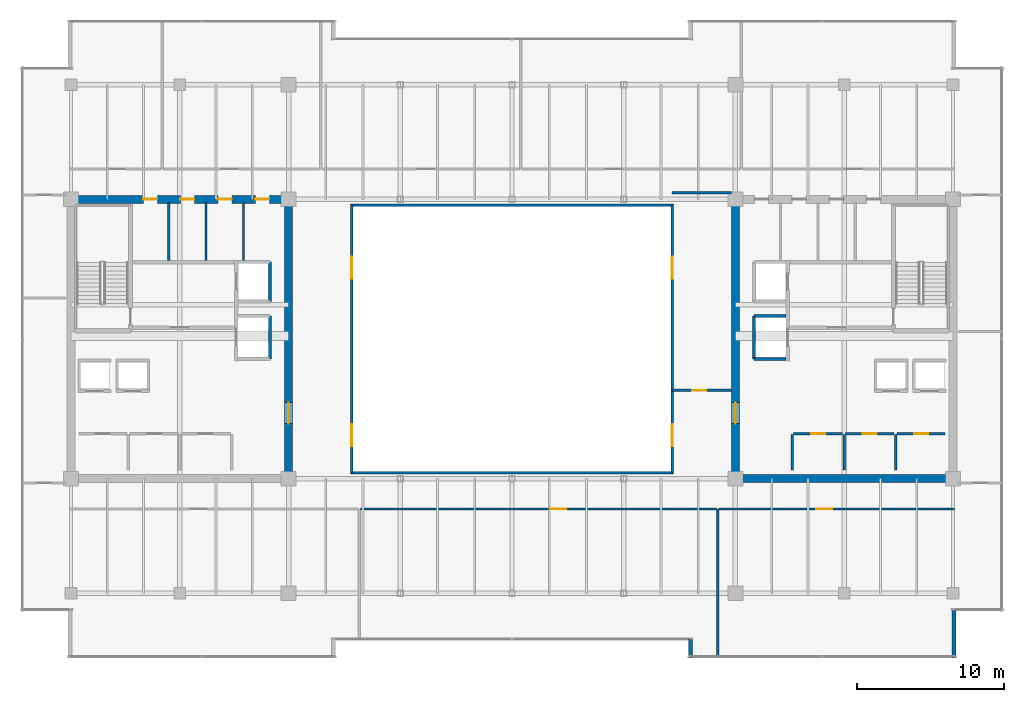
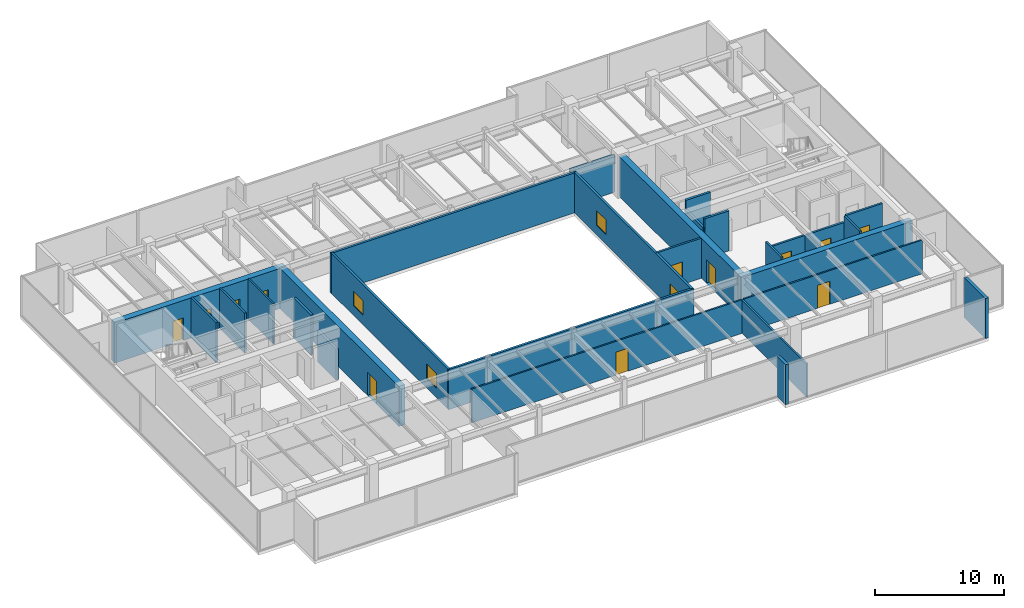
# One storey, part 29 of 33: 29 walls, 12 doors, 4 windows, 16 openings.
"""IFC4 building model written with IfcOpenShell, lengths in metres."""

from ifc_helpers import new_model, si_unit, direction, frame, frame_2d, origin, place, context, subcontext, project, spatial, rectangle, extrude, source, transform, mapped, material, layer, layer_set, type_object, type_shapes, element, fill, save


model = new_model("IFC4")

# Units and contexts
model_context = context("Model", 3, precision=1e-05, world=origin(), true_north=direction((0.0, 1.0)))
body_context = subcontext(model_context, "Body", "Model", "MODEL_VIEW")
ifc_project = project(units=[si_unit("LENGTHUNIT", "METRE"), si_unit("AREAUNIT", "SQUARE_METRE"), si_unit("VOLUMEUNIT", "CUBIC_METRE"), si_unit("PLANEANGLEUNIT", "RADIAN"), si_unit("MASSUNIT", "GRAM", prefix="KILO")], contexts=[model_context])

# Site, building, storey
site_placement = place(None, origin())
site = spatial("IfcSite", under=ifc_project, at=site_placement, CompositionType="ELEMENT")
building_placement = place(site_placement, origin())
building = spatial("IfcBuilding", under=site, at=building_placement, Name="Haelvirn Gate Laboratories", CompositionType="ELEMENT")
storey_placement = place(building_placement, frame((0.0, 0.0, 275.199951171875)))
storey = spatial("IfcBuildingStorey", under=building, at=storey_placement, Name="L66", CompositionType="ELEMENT", Elevation=275.199951171875)

# Walls
ifc_material_1 = material(Name="Thermally-broken bronze aluminium rainscreen & mineral wool", Category="aluminium")
ifc_layer_1 = layer(ifc_material_1, 0.280029296875, Name="EW-TERR-280")
ifc_layer_set_1 = layer_set([ifc_layer_1], Name="Thermally-broken bronze aluminium rainscreen & mineral wool")
wall_type_1 = type_object("IfcWallType", Name="EW-TERR-280", PredefinedType="STANDARD", material=ifc_layer_set_1)
wall_1_placement = place(storey_placement, frame((49.5400390625, 3.89306640625, 0.0), z_axis=(0.0, 0.0, 1.0), x_axis=(0.0, -1.0, 0.0)))
element("IfcWall", 1, at=wall_1_placement, inside=storey, type_object=wall_type_1, Name="L66 Atrium Recess Bronze Return Wall 03", PredefinedType="STANDARD", context=body_context, shape_type="SweptSolid", body=[
    extrude(rectangle(XDim=1.29296875, YDim=0.280029296875, at=frame_2d((0.646484375, 0.0))), origin(), (0.0, 0.0, 1.0), 3.800048828125),
])
wall_2_placement = place(storey_placement, frame((67.4599609375, 2.60009765625, 0.0), z_axis=(0.0, 0.0, 1.0), x_axis=(0.0, 1.0, 0.0)))
element("IfcWall", 2, at=wall_2_placement, inside=storey, type_object=wall_type_1, Name="L66 Atrium Recess Bronze Return Wall 05", PredefinedType="STANDARD", context=body_context, shape_type="SweptSolid", body=[
    extrude(rectangle(XDim=3.287841796875, YDim=0.280029296875, at=frame_2d((1.64404296875, 0.0))), origin(), (0.0, 0.0, 1.0), 3.800048828125),
])
ifc_material_2 = material(Name="Double-layer acoustic gypsum laboratory partition", Category="gypsum")
ifc_layer_2 = layer(ifc_material_2, 0.159912109375, Name="IW-ACOUST-160")
ifc_layer_set_2 = layer_set([ifc_layer_2], Name="Double-layer acoustic gypsum laboratory partition")
wall_type_2 = type_object("IfcWallType", Name="IW-ACOUST-160", PredefinedType="PARTITIONING", material=ifc_layer_set_2)
wall_3_placement = place(storey_placement, frame((51.39990234375, 2.7099609375, 0.0), z_axis=(0.0, 0.0, 1.0), x_axis=(0.0, 1.0, 0.0)))
element("IfcWall", 3, at=wall_3_placement, inside=storey, type_object=wall_type_2, Name="L66 Interior Wall IW-L66-SDIV-02", PredefinedType="PARTITIONING", context=body_context, shape_type="SweptSolid", body=[
    extrude(rectangle(XDim=10.030029296875, YDim=0.159912109375, at=frame_2d((5.01513671875, 0.0))), origin(), (0.0, 0.0, 1.0), 3.135009765625),
])
ifc_material_3 = material(Name="Fire-rated acoustic gypsum board partition", Category="gypsum")
ifc_layer_3 = layer(ifc_material_3, 0.175048828125, Name="IW-ACOUST-180")
ifc_layer_set_3 = layer_set([ifc_layer_3], Name="Fire-rated acoustic gypsum board partition")
wall_type_3 = type_object("IfcWallType", Name="IW-ACOUST-180", PredefinedType="PARTITIONING", material=ifc_layer_set_3)
wall_4_placement = place(storey_placement, frame((48.300048828125, 34.260009765625, 0.0), z_axis=(0.0, 0.0, 1.0), x_axis=(1.0, 0.0, 0.0)))
element("IfcWall", 4, at=wall_4_placement, inside=storey, type_object=wall_type_3, Name="L66 Interior Wall IW-L66-EPOD-N", PredefinedType="PARTITIONING", context=body_context, shape_type="SweptSolid", body=[
    extrude(rectangle(XDim=4.02490234375, YDim=0.175048828125, at=frame_2d((2.012451171875, 0.0))), origin(), (0.0, 0.0, 1.0), 3.53515625),
])

# Wall, opening, door
wall_5_placement = place(storey_placement, frame((48.300048828125, 20.800048828125, 0.0), z_axis=(0.0, 0.0, 1.0), x_axis=(1.0, 0.0, 0.0)))
wall_5 = element("IfcWall", 5, at=wall_5_placement, inside=storey, type_object=wall_type_3, Name="L66 Interior Wall IW-L66-EPOD-S", PredefinedType="PARTITIONING", context=body_context, shape_type="SweptSolid", body=[
    extrude(rectangle(XDim=4.02490234375, YDim=0.175048828125, at=frame_2d((2.012451171875, 0.0))), origin(), (0.0, 0.0, 1.0), 3.800048828125),
])
opening_1_placement = place(wall_5_placement, frame((1.35009765625, 0.0, 0.0)))
opening_1 = element("IfcOpeningElement", 6, at=opening_1_placement, cuts=wall_5, Name="Opening FD4", PredefinedType="OPENING", context=body_context, shape_type="SweptSolid", body=[
    extrude(rectangle(XDim=0.949951171875, YDim=2.14990234375, at=frame_2d((0.47509765625, 1.074951171875))), frame((0.0, 0.09765625, 0.0), z_axis=(0.0, -1.0, 0.0), x_axis=(1.0, 0.0, 0.0)), (0.0, 0.0, 1.0), 0.195068359375),
])
ifc_material_4 = material(Name="Fire-rated steel SM355 core service door", Category="steel")
door_type_1 = type_object("IfcDoorType", Name="DR-FD-950", OperationType="NOTDEFINED", PredefinedType="DOOR", material=ifc_material_4)
shared_shape_1 = source(origin(), body_context, "Body", "SweptSolid", [
    extrude(rectangle(XDim=0.949951171875, YDim=2.14990234375, at=frame_2d((0.47509765625, 1.074951171875))), frame((0.0, 0.02490234375, 0.0), z_axis=(0.0, -1.0, 0.0), x_axis=(1.0, 0.0, 0.0)), (0.0, 0.0, 1.0), 0.050048828125),
])
type_shapes(door_type_1, [shared_shape_1])
door_1_placement = place(opening_1_placement, origin())
door_1 = element("IfcDoor", 7, at=door_1_placement, inside=storey, type_object=door_type_1, Name="L66 High-Zone Collaboration Suite Door", OperationType="SINGLE_SWING_LEFT", OverallHeight=2.14990234375, OverallWidth=0.949951171875, PredefinedType="DOOR", context=body_context, shape_type="MappedRepresentation", body=[
    mapped(shared_shape_1, transform((0.0, 0.0, 0.0), scale=1.0)),
])
fill(opening_1, door_1)

# Wall, openings, windows
ifc_material_5 = material(Name="Tempered fire-rated borosilicate glass & anodised aluminium", Category="aluminium")
ifc_layer_4 = layer(ifc_material_5, 0.195068359375, Name="IW-GLAZ-200")
ifc_layer_set_4 = layer_set([ifc_layer_4], Name="Tempered fire-rated borosilicate glass & anodised aluminium")
wall_type_4 = type_object("IfcWallType", Name="IW-GLAZ-200", PredefinedType="SOLIDWALL", material=ifc_layer_set_4)
wall_6_placement = place(storey_placement, frame((26.5, 15.199951171875, 0.0), z_axis=(0.0, 0.0, 1.0), x_axis=(0.0, 1.0, 0.0)))
wall_6 = element("IfcWall", 8, at=wall_6_placement, inside=storey, type_object=wall_type_4, Name="L66 Interior Wall IW-L66-ATRIUM-W", PredefinedType="SOLIDWALL", context=body_context, shape_type="SweptSolid", body=[
    extrude(rectangle(XDim=18.199951171875, YDim=0.195068359375, at=frame_2d((9.10009765625, 0.0))), origin(), (0.0, 0.0, 1.0), 3.800048828125),
])
opening_2_placement = place(wall_6_placement, frame((1.800048828125, 0.0, 0.89990234375)))
opening_2 = element("IfcOpeningElement", 9, at=opening_2_placement, cuts=wall_6, Name="Opening W5", PredefinedType="OPENING", context=body_context, shape_type="SweptSolid", body=[
    extrude(rectangle(XDim=1.5, YDim=1.39990234375, at=frame_2d((0.75, 0.699951171875))), frame((0.0, 0.107421875, 0.0), z_axis=(0.0, -1.0, 0.0), x_axis=(1.0, 0.0, 0.0)), (0.0, 0.0, 1.0), 0.215087890625),
])
opening_3_placement = place(wall_6_placement, frame((13.199951171875, 0.0, 0.89990234375)))
opening_3 = element("IfcOpeningElement", 10, at=opening_3_placement, cuts=wall_6, Name="Opening W5", PredefinedType="OPENING", context=body_context, shape_type="SweptSolid", body=[
    extrude(rectangle(XDim=1.5, YDim=1.39990234375, at=frame_2d((0.75, 0.699951171875))), frame((0.0, 0.107421875, 0.0), z_axis=(0.0, -1.0, 0.0), x_axis=(1.0, 0.0, 0.0)), (0.0, 0.0, 1.0), 0.215087890625),
])
ifc_material_6 = material(Name="Fire-rated EI 120 borosilicate atrium vision glazing", Category="glass")
window_type = type_object("IfcWindowType", Name="WN-ATR-1500", PartitioningType="SINGLE_PANEL", PredefinedType="WINDOW", material=ifc_material_6)
shared_shape_2 = source(origin(), body_context, "Body", "SweptSolid", [
    extrude(rectangle(XDim=1.5, YDim=1.39990234375, at=frame_2d((0.75, 0.699951171875))), frame((0.0, 0.030029296875, 0.0), z_axis=(0.0, -1.0, 0.0), x_axis=(1.0, 0.0, 0.0)), (0.0, 0.0, 1.0), 0.06005859375),
])
type_shapes(window_type, [shared_shape_2])
window_1_placement = place(opening_2_placement, origin())
window_1 = element("IfcWindow", 11, at=window_1_placement, inside=storey, type_object=window_type, Name="L66 Atrium Observation Window 1", OverallHeight=1.39990234375, OverallWidth=1.5, PartitioningType="SINGLE_PANEL", PredefinedType="WINDOW", context=body_context, shape_type="MappedRepresentation", body=[
    mapped(shared_shape_2, transform((0.0, 0.0, 0.0), scale=1.0)),
])
fill(opening_2, window_1)
window_2_placement = place(opening_3_placement, origin())
window_2 = element("IfcWindow", 12, at=window_2_placement, inside=storey, type_object=window_type, Name="L66 Atrium Observation Window 2", OverallHeight=1.39990234375, OverallWidth=1.5, PartitioningType="SINGLE_PANEL", PredefinedType="WINDOW", context=body_context, shape_type="MappedRepresentation", body=[
    mapped(shared_shape_2, transform((0.0, 0.0, 0.0), scale=1.0)),
])
fill(opening_3, window_2)

wall_7_placement = place(storey_placement, frame((48.300048828125, 15.199951171875, 0.0), z_axis=(0.0, 0.0, 1.0), x_axis=(0.0, 1.0, 0.0)))
wall_7 = element("IfcWall", 13, at=wall_7_placement, inside=storey, type_object=wall_type_4, Name="L66 Interior Wall IW-L66-ATRIUM-E", PredefinedType="SOLIDWALL", context=body_context, shape_type="SweptSolid", body=[
    extrude(rectangle(XDim=18.199951171875, YDim=0.195068359375, at=frame_2d((9.10009765625, 0.0))), origin(), (0.0, 0.0, 1.0), 3.800048828125),
])
opening_4_placement = place(wall_7_placement, frame((1.800048828125, 0.0, 0.89990234375)))
opening_4 = element("IfcOpeningElement", 14, at=opening_4_placement, cuts=wall_7, Name="Opening W5", PredefinedType="OPENING", context=body_context, shape_type="SweptSolid", body=[
    extrude(rectangle(XDim=1.5, YDim=1.39990234375, at=frame_2d((0.75, 0.699951171875))), frame((0.0, 0.107421875, 0.0), z_axis=(0.0, -1.0, 0.0), x_axis=(1.0, 0.0, 0.0)), (0.0, 0.0, 1.0), 0.215087890625),
])
opening_5_placement = place(wall_7_placement, frame((13.199951171875, 0.0, 0.89990234375)))
opening_5 = element("IfcOpeningElement", 15, at=opening_5_placement, cuts=wall_7, Name="Opening W5", PredefinedType="OPENING", context=body_context, shape_type="SweptSolid", body=[
    extrude(rectangle(XDim=1.5, YDim=1.39990234375, at=frame_2d((0.75, 0.699951171875))), frame((0.0, 0.107421875, 0.0), z_axis=(0.0, -1.0, 0.0), x_axis=(1.0, 0.0, 0.0)), (0.0, 0.0, 1.0), 0.215087890625),
])
window_3_placement = place(opening_4_placement, origin())
window_3 = element("IfcWindow", 16, at=window_3_placement, inside=storey, type_object=window_type, Name="L66 Atrium Observation Window 1", OverallHeight=1.39990234375, OverallWidth=1.5, PartitioningType="SINGLE_PANEL", PredefinedType="WINDOW", context=body_context, shape_type="MappedRepresentation", body=[
    mapped(shared_shape_2, transform((0.0, 0.0, 0.0), scale=1.0)),
])
fill(opening_4, window_3)
window_4_placement = place(opening_5_placement, origin())
window_4 = element("IfcWindow", 17, at=window_4_placement, inside=storey, type_object=window_type, Name="L66 Atrium Observation Window 2", OverallHeight=1.39990234375, OverallWidth=1.5, PartitioningType="SINGLE_PANEL", PredefinedType="WINDOW", context=body_context, shape_type="MappedRepresentation", body=[
    mapped(shared_shape_2, transform((0.0, 0.0, 0.0), scale=1.0)),
])
fill(opening_5, window_4)

# Walls
for number, where, z_axis, x_axis, name in (
    (18, (26.39990234375, 15.199951171875, 0.0), (0.0, 0.0, 1.0), (1.0, 0.0, 0.0), "L66 Interior Wall IW-L66-ATRIUM-S"),
    (19, (26.39990234375, 33.39990234375, 0.0), (0.0, 0.0, 1.0), (1.0, 0.0, 0.0), "L66 Interior Wall IW-L66-ATRIUM-N"),
):
    element("IfcWall", number, at=place(storey_placement, frame(where, z_axis=z_axis, x_axis=x_axis)), inside=storey, type_object=wall_type_4, Name=name, PredefinedType="SOLIDWALL", context=body_context, shape_type="SweptSolid", body=[
        extrude(rectangle(XDim=22.0, YDim=0.195068359375, at=frame_2d((11.0, 0.0))), origin(), (0.0, 0.0, 1.0), 3.800048828125),
    ])

# Wall, opening, door
ifc_material_7 = material(Name="Acoustic mineral-wool gypsum board partition", Category="gypsum")
ifc_layer_5 = layer(ifc_material_7, 0.139892578125, Name="IW-PART-140")
ifc_layer_set_5 = layer_set([ifc_layer_5], Name="Acoustic mineral-wool gypsum board partition")
wall_type_5 = type_object("IfcWallType", Name="IW-PART-140", PredefinedType="PARTITIONING", material=ifc_layer_set_5)
wall_8_placement = place(storey_placement, frame((27.080078125, 12.739990234375, 0.0), z_axis=(0.0, 0.0, 1.0), x_axis=(1.0, 0.0, 0.0)))
wall_8 = element("IfcWall", 20, at=wall_8_placement, inside=storey, type_object=wall_type_5, Name="L66 Interior Wall IW-L66-SCORR-02", PredefinedType="PARTITIONING", context=body_context, shape_type="SweptSolid", body=[
    extrude(rectangle(XDim=24.239990234375, YDim=0.139892578125, at=frame_2d((12.1201171875, 0.0))), origin(), (0.0, 0.0, 1.0), 3.197021484375),
])
opening_6_placement = place(wall_8_placement, frame((12.91650390625, 0.0, 0.0)))
opening_6 = element("IfcOpeningElement", 21, at=opening_6_placement, cuts=wall_8, Name="Opening D1", PredefinedType="OPENING", context=body_context, shape_type="SweptSolid", body=[
    extrude(rectangle(XDim=1.10009765625, YDim=2.179931640625, at=frame_2d((0.550048828125, 1.08984375))), frame((0.0, 0.080078125, 0.0), z_axis=(0.0, -1.0, 0.0), x_axis=(1.0, 0.0, 0.0)), (0.0, 0.0, 1.0), 0.159912109375),
])
ifc_material_8 = material(Name="Vision-panel acoustic solid-core timber lab door", Category="wood")
door_type_2 = type_object("IfcDoorType", Name="DR-LAB-1100", OperationType="NOTDEFINED", PredefinedType="DOOR", material=ifc_material_8)
shared_shape_3 = source(origin(), body_context, "Body", "SweptSolid", [
    extrude(rectangle(XDim=1.10009765625, YDim=2.179931640625, at=frame_2d((0.550048828125, 1.08984375))), frame((0.0, 0.02490234375, 0.0), z_axis=(0.0, -1.0, 0.0), x_axis=(1.0, 0.0, 0.0)), (0.0, 0.0, 1.0), 0.050048828125),
])
type_shapes(door_type_2, [shared_shape_3])
door_2_placement = place(opening_6_placement, origin())
door_2 = element("IfcDoor", 22, at=door_2_placement, inside=storey, type_object=door_type_2, Name="L66 Computational Write-Up Office Door S2", OperationType="SINGLE_SWING_RIGHT", OverallHeight=2.179931640625, OverallWidth=1.10009765625, PredefinedType="DOOR", context=body_context, shape_type="MappedRepresentation", body=[
    mapped(shared_shape_3, transform((0.0, 0.0, 0.0), scale=1.0)),
])
fill(opening_6, door_2)

wall_9_placement = place(storey_placement, frame((51.47998046875, 12.739990234375, 0.0), z_axis=(0.0, 0.0, 1.0), x_axis=(1.0, 0.0, 0.0)))
wall_9 = element("IfcWall", 23, at=wall_9_placement, inside=storey, type_object=wall_type_5, Name="L66 Interior Wall IW-L66-SCORR-03", PredefinedType="PARTITIONING", context=body_context, shape_type="SweptSolid", body=[
    extrude(rectangle(XDim=16.010009765625, YDim=0.139892578125, at=frame_2d((8.0048828125, 0.0))), origin(), (0.0, 0.0, 1.0), 3.197021484375),
])
opening_7_placement = place(wall_9_placement, frame((6.602294921875, 0.0, 0.0)))
opening_7 = element("IfcOpeningElement", 24, at=opening_7_placement, cuts=wall_9, Name="Opening D1", PredefinedType="OPENING", context=body_context, shape_type="SweptSolid", body=[
    extrude(rectangle(XDim=1.10009765625, YDim=2.179931640625, at=frame_2d((0.550048828125, 1.08984375))), frame((0.0, 0.080078125, 0.0), z_axis=(0.0, -1.0, 0.0), x_axis=(1.0, 0.0, 0.0)), (0.0, 0.0, 1.0), 0.159912109375),
])
door_3_placement = place(opening_7_placement, origin())
door_3 = element("IfcDoor", 25, at=door_3_placement, inside=storey, type_object=door_type_2, Name="L66 Bioinformatics Dry-Lab Workspace Door S3", OperationType="SINGLE_SWING_LEFT", OverallHeight=2.179931640625, OverallWidth=1.10009765625, PredefinedType="DOOR", context=body_context, shape_type="MappedRepresentation", body=[
    mapped(shared_shape_3, transform((0.0, 0.0, 0.0), scale=1.0)),
])
fill(opening_7, door_3)

# Walls
ifc_material_9 = material(Name="Cement-board restroom plumbing chase wall", Category="gypsum")
ifc_layer_6 = layer(ifc_material_9, 0.155029296875, Name="IW-PLUMB-160")
ifc_layer_set_6 = layer_set([ifc_layer_6], Name="Cement-board restroom plumbing chase wall")
wall_type_6 = type_object("IfcWallType", Name="IW-PLUMB-160", PredefinedType="PLUMBINGWALL", material=ifc_layer_set_6)
for number, where, z_axis, x_axis, name in (
    (26, (14.0400390625, 29.64990234375, 0.0), (0.0, 0.0, 1.0), (0.0, 1.0, 0.0), "L66 Interior Wall IW-L66-W-CDIV-1"),
    (27, (16.590087890625, 29.64990234375, 0.0), (0.0, 0.0, 1.0), (0.0, 1.0, 0.0), "L66 Interior Wall IW-L66-W-CDIV-2"),
    (28, (19.139892578125, 29.64990234375, 0.0), (0.0, 0.0, 1.0), (0.0, 1.0, 0.0), "L66 Interior Wall IW-L66-W-CDIV-3"),
):
    element("IfcWall", number, at=place(storey_placement, frame(where, z_axis=z_axis, x_axis=x_axis)), inside=storey, type_object=wall_type_6, Name=name, PredefinedType="PLUMBINGWALL", context=body_context, shape_type="SweptSolid", body=[
        extrude(rectangle(XDim=3.93017578125, YDim=0.155029296875, at=frame_2d((1.965087890625, 0.0))), origin(), (0.0, 0.0, 1.0), 3.800048828125),
    ])

# Wall, opening, door
ifc_material_10 = material(Name="Concrete C40/50", Category="concrete")
ifc_layer_7 = layer(ifc_material_10, 0.179931640625, Name="IW-SHAFT-180")
ifc_layer_set_7 = layer_set([ifc_layer_7], Name="Concrete C40/50")
wall_type_7 = type_object("IfcWallType", Name="IW-SHAFT-180", PredefinedType="SOLIDWALL", material=ifc_layer_set_7)
wall_10_placement = place(storey_placement, frame((63.60009765625, 17.85009765625, 0.0), z_axis=(0.0, 0.0, 1.0), x_axis=(1.0, 0.0, 0.0)))
wall_10 = element("IfcWall", 29, at=wall_10_placement, inside=storey, type_object=wall_type_7, Name="L66 Interior Wall IW-L66-E-FREED-HN-1", PredefinedType="SOLIDWALL", context=body_context, shape_type="SweptSolid", body=[
    extrude(rectangle(XDim=3.25, YDim=0.179931640625, at=frame_2d((1.625, 0.0))), origin(), (0.0, 0.0, 1.0), 3.800048828125),
])
opening_8_placement = place(wall_10_placement, frame((1.14990234375, 0.0, 0.0)))
opening_8 = element("IfcOpeningElement", 30, at=opening_8_placement, cuts=wall_10, Name="Opening FD4", PredefinedType="OPENING", context=body_context, shape_type="SweptSolid", body=[
    extrude(rectangle(XDim=0.949951171875, YDim=2.14990234375, at=frame_2d((0.47509765625, 1.074951171875))), frame((0.0, 0.10009765625, 0.0), z_axis=(0.0, -1.0, 0.0), x_axis=(1.0, 0.0, 0.0)), (0.0, 0.0, 1.0), 0.199951171875),
])
door_4_placement = place(opening_8_placement, origin())
door_4 = element("IfcDoor", 31, at=door_4_placement, inside=storey, type_object=door_type_1, Name="L66 Autoclave Bio-Prep Room Door", OperationType="SINGLE_SWING_LEFT", OverallHeight=2.14990234375, OverallWidth=0.949951171875, PredefinedType="DOOR", context=body_context, shape_type="MappedRepresentation", body=[
    mapped(shared_shape_1, transform((0.0, 0.0, 0.0), scale=1.0)),
])
fill(opening_8, door_4)

# Wall
wall_11_placement = place(storey_placement, frame((63.510009765625, 15.39990234375, 0.0), z_axis=(0.0, 0.0, 1.0), x_axis=(0.0, 1.0, 0.0)))
element("IfcWall", 32, at=wall_11_placement, inside=storey, type_object=wall_type_7, Name="L66 Interior Wall IW-L66-E-FREED-HE-1", PredefinedType="SOLIDWALL", context=body_context, shape_type="SweptSolid", body=[
    extrude(rectangle(XDim=2.400146484375, YDim=0.179931640625, at=frame_2d((1.2001953125, 0.0))), origin(), (0.0, 0.0, 1.0), 3.800048828125),
])

# Wall, opening, door
wall_12_placement = place(storey_placement, frame((60.10009765625, 17.85009765625, 0.0), z_axis=(0.0, 0.0, 1.0), x_axis=(1.0, 0.0, 0.0)))
wall_12 = element("IfcWall", 33, at=wall_12_placement, inside=storey, type_object=wall_type_7, Name="L66 Interior Wall IW-L66-E-FREED-HN-2", PredefinedType="SOLIDWALL", context=body_context, shape_type="SweptSolid", body=[
    extrude(rectangle(XDim=3.2998046875, YDim=0.179931640625, at=frame_2d((1.64990234375, 0.0))), origin(), (0.0, 0.0, 1.0), 3.197021484375),
])
opening_9_placement = place(wall_12_placement, frame((1.175048828125, 0.0, 0.0)))
opening_9 = element("IfcOpeningElement", 34, at=opening_9_placement, cuts=wall_12, Name="Opening FD4", PredefinedType="OPENING", context=body_context, shape_type="SweptSolid", body=[
    extrude(rectangle(XDim=0.949951171875, YDim=2.14990234375, at=frame_2d((0.47509765625, 1.074951171875))), frame((0.0, 0.10009765625, 0.0), z_axis=(0.0, -1.0, 0.0), x_axis=(1.0, 0.0, 0.0)), (0.0, 0.0, 1.0), 0.199951171875),
])
door_5_placement = place(opening_9_placement, origin())
door_5 = element("IfcDoor", 35, at=door_5_placement, inside=storey, type_object=door_type_1, Name="L66 Telemetry Analytics Room Door", OperationType="SINGLE_SWING_RIGHT", OverallHeight=2.14990234375, OverallWidth=0.949951171875, PredefinedType="DOOR", context=body_context, shape_type="MappedRepresentation", body=[
    mapped(shared_shape_1, transform((0.0, 0.0, 0.0), scale=1.0)),
])
fill(opening_9, door_5)

# Wall
wall_13_placement = place(storey_placement, frame((60.010009765625, 15.39990234375, 0.0), z_axis=(0.0, 0.0, 1.0), x_axis=(0.0, 1.0, 0.0)))
element("IfcWall", 36, at=wall_13_placement, inside=storey, type_object=wall_type_7, Name="L66 Interior Wall IW-L66-E-FREED-HE-2", PredefinedType="SOLIDWALL", context=body_context, shape_type="SweptSolid", body=[
    extrude(rectangle(XDim=2.400146484375, YDim=0.179931640625, at=frame_2d((1.2001953125, 0.0))), origin(), (0.0, 0.0, 1.0), 3.197021484375),
])

# Wall, opening, door
wall_14_placement = place(storey_placement, frame((56.550048828125, 17.85009765625, 0.0), z_axis=(0.0, 0.0, 1.0), x_axis=(1.0, 0.0, 0.0)))
wall_14 = element("IfcWall", 37, at=wall_14_placement, inside=storey, type_object=wall_type_7, Name="L66 Interior Wall IW-L66-E-FREED-HN-3", PredefinedType="SOLIDWALL", context=body_context, shape_type="SweptSolid", body=[
    extrude(rectangle(XDim=3.349853515625, YDim=0.179931640625, at=frame_2d((1.6748046875, 0.0))), origin(), (0.0, 0.0, 1.0), 3.197021484375),
])
opening_10_placement = place(wall_14_placement, frame((1.199951171875, 0.0, 0.0)))
opening_10 = element("IfcOpeningElement", 38, at=opening_10_placement, cuts=wall_14, Name="Opening FD4", PredefinedType="OPENING", context=body_context, shape_type="SweptSolid", body=[
    extrude(rectangle(XDim=0.949951171875, YDim=2.14990234375, at=frame_2d((0.47509765625, 1.074951171875))), frame((0.0, 0.10009765625, 0.0), z_axis=(0.0, -1.0, 0.0), x_axis=(1.0, 0.0, 0.0)), (0.0, 0.0, 1.0), 0.199951171875),
])
door_6_placement = place(opening_10_placement, origin())
door_6 = element("IfcDoor", 39, at=door_6_placement, inside=storey, type_object=door_type_1, Name="L66 Calibration Metrology Room Door", OperationType="SINGLE_SWING_LEFT", OverallHeight=2.14990234375, OverallWidth=0.949951171875, PredefinedType="DOOR", context=body_context, shape_type="MappedRepresentation", body=[
    mapped(shared_shape_1, transform((0.0, 0.0, 0.0), scale=1.0)),
])
fill(opening_10, door_6)

# Walls
wall_15_placement = place(storey_placement, frame((56.4599609375, 15.39990234375, 0.0), z_axis=(0.0, 0.0, 1.0), x_axis=(0.0, 1.0, 0.0)))
element("IfcWall", 40, at=wall_15_placement, inside=storey, type_object=wall_type_7, Name="L66 Interior Wall IW-L66-E-FREED-HE-3", PredefinedType="SOLIDWALL", context=body_context, shape_type="SweptSolid", body=[
    extrude(rectangle(XDim=2.400146484375, YDim=0.179931640625, at=frame_2d((1.2001953125, 0.0))), origin(), (0.0, 0.0, 1.0), 3.800048828125),
])
ifc_layer_8 = layer(ifc_material_10, 0.199951171875, Name="IW-SHAFT-200")
ifc_layer_set_8 = layer_set([ifc_layer_8], Name="Concrete C40/50")
wall_type_8 = type_object("IfcWallType", Name="IW-SHAFT-200", PredefinedType="SOLIDWALL", material=ifc_layer_set_8)
wall_16_placement = place(storey_placement, frame((20.949951171875, 26.85009765625, 0.0), z_axis=(0.0, 0.0, 1.0), x_axis=(0.0, 1.0, 0.0)))
element("IfcWall", 41, at=wall_16_placement, inside=storey, type_object=wall_type_8, Name="L66 Interior Wall IW-L66-FL1-BK", PredefinedType="SOLIDWALL", context=body_context, shape_type="SweptSolid", body=[
    extrude(rectangle(XDim=2.699951171875, YDim=0.199951171875, at=frame_2d((1.35009765625, 0.0))), origin(), (0.0, 0.0, 1.0), 3.800048828125),
])
for number, where, z_axis, x_axis, name in (
    (42, (20.949951171875, 22.949951171875, 0.0), (0.0, 0.0, 1.0), (0.0, 1.0, 0.0), "L66 Interior Wall IW-L66-SL1-BK"),
    (43, (53.85009765625, 22.949951171875, 0.0), (0.0, 0.0, 1.0), (0.0, 1.0, 0.0), "L66 Interior Wall IW-L66-SL2-BK"),
):
    element("IfcWall", number, at=place(storey_placement, frame(where, z_axis=z_axis, x_axis=x_axis)), inside=storey, type_object=wall_type_8, Name=name, PredefinedType="SOLIDWALL", context=body_context, shape_type="SweptSolid", body=[
        extrude(rectangle(XDim=2.900146484375, YDim=0.199951171875, at=frame_2d((1.4501953125, 0.0))), origin(), (0.0, 0.0, 1.0), 2.93505859375),
    ])
for number, where, z_axis, x_axis, name in (
    (44, (53.85009765625, 25.85009765625, 0.0), (0.0, 0.0, 1.0), (1.0, 0.0, 0.0), "L66 Interior Wall IW-L66-SL2-N"),
    (45, (53.85009765625, 22.949951171875, 0.0), (0.0, 0.0, 1.0), (1.0, 0.0, 0.0), "L66 Interior Wall IW-L66-SL2-S"),
):
    element("IfcWall", number, at=place(storey_placement, frame(where, z_axis=z_axis, x_axis=x_axis)), inside=storey, type_object=wall_type_8, Name=name, PredefinedType="SOLIDWALL", context=body_context, shape_type="SweptSolid", body=[
        extrude(rectangle(XDim=2.18994140625, YDim=0.199951171875, at=frame_2d((1.094970703125, 0.0))), origin(), (0.0, 0.0, 1.0), 3.800048828125),
    ])

# Wall, openings, doors
ifc_material_11 = material(Name="Concrete C50/60", Category="concrete")
ifc_layer_9 = layer(ifc_material_11, 0.550048828125, Name="SW-CORE-550")
ifc_layer_set_9 = layer_set([ifc_layer_9], Name="Concrete C50/60")
wall_type_9 = type_object("IfcWallType", Name="SW-CORE-550", PredefinedType="SHEAR", material=ifc_layer_set_9)
wall_17_placement = place(storey_placement, frame((7.125, 33.800048828125, 0.0), z_axis=(0.0, 0.0, 1.0), x_axis=(1.0, 0.0, 0.0)))
wall_17 = element("IfcWall", 46, at=wall_17_placement, inside=storey, type_object=wall_type_9, Name="L66 W Core Shear Wall N", PredefinedType="SHEAR", context=body_context, shape_type="SweptSolid", body=[
    extrude(rectangle(XDim=15.35009765625, YDim=0.550048828125, at=frame_2d((7.675048828125, 0.0))), origin(), (0.0, 0.0, 1.0), 3.800048828125),
])
opening_11_placement = place(wall_17_placement, frame((5.199951171875, 0.0, 0.0)))
opening_11 = element("IfcOpeningElement", 47, at=opening_11_placement, cuts=wall_17, Name="Opening FD4", PredefinedType="OPENING", context=body_context, shape_type="SweptSolid", body=[
    extrude(rectangle(XDim=0.949951171875, YDim=2.14990234375, at=frame_2d((0.47509765625, 1.074951171875))), frame((0.0, 0.28515625, 0.0), z_axis=(0.0, -1.0, 0.0), x_axis=(1.0, 0.0, 0.0)), (0.0, 0.0, 1.0), 0.570068359375),
])
opening_12_placement = place(wall_17_placement, frame((7.715087890625, 0.0, 0.0)))
opening_12 = element("IfcOpeningElement", 48, at=opening_12_placement, cuts=wall_17, Name="Opening FD4", PredefinedType="OPENING", context=body_context, shape_type="SweptSolid", body=[
    extrude(rectangle(XDim=0.949951171875, YDim=2.14990234375, at=frame_2d((0.47509765625, 1.074951171875))), frame((0.0, 0.28515625, 0.0), z_axis=(0.0, -1.0, 0.0), x_axis=(1.0, 0.0, 0.0)), (0.0, 0.0, 1.0), 0.570068359375),
])
opening_13_placement = place(wall_17_placement, frame((10.264892578125, 0.0, 0.0)))
opening_13 = element("IfcOpeningElement", 49, at=opening_13_placement, cuts=wall_17, Name="Opening FD4", PredefinedType="OPENING", context=body_context, shape_type="SweptSolid", body=[
    extrude(rectangle(XDim=0.949951171875, YDim=2.14990234375, at=frame_2d((0.47509765625, 1.074951171875))), frame((0.0, 0.28515625, 0.0), z_axis=(0.0, -1.0, 0.0), x_axis=(1.0, 0.0, 0.0)), (0.0, 0.0, 1.0), 0.570068359375),
])
opening_14_placement = place(wall_17_placement, frame((12.81494140625, 0.0, 0.0)))
opening_14 = element("IfcOpeningElement", 50, at=opening_14_placement, cuts=wall_17, Name="Opening FD4", PredefinedType="OPENING", context=body_context, shape_type="SweptSolid", body=[
    extrude(rectangle(XDim=0.949951171875, YDim=2.14990234375, at=frame_2d((0.47509765625, 1.074951171875))), frame((0.0, 0.28515625, 0.0), z_axis=(0.0, -1.0, 0.0), x_axis=(1.0, 0.0, 0.0)), (0.0, 0.0, 1.0), 0.570068359375),
])
door_7_placement = place(opening_11_placement, origin())
door_7 = element("IfcDoor", 51, at=door_7_placement, inside=storey, type_object=door_type_1, Name="L66 Male Restroom Fire Door", OperationType="SINGLE_SWING_LEFT", OverallHeight=2.14990234375, OverallWidth=0.949951171875, PredefinedType="DOOR", context=body_context, shape_type="MappedRepresentation", body=[
    mapped(shared_shape_1, transform((0.0, 0.0, 0.0), scale=1.0)),
])
fill(opening_11, door_7)
door_8_placement = place(opening_12_placement, origin())
door_8 = element("IfcDoor", 52, at=door_8_placement, inside=storey, type_object=door_type_1, Name="L66 Female Restroom Fire Door", OperationType="SINGLE_SWING_RIGHT", OverallHeight=2.14990234375, OverallWidth=0.949951171875, PredefinedType="DOOR", context=body_context, shape_type="MappedRepresentation", body=[
    mapped(shared_shape_1, transform((0.0, 0.0, 0.0), scale=1.0)),
])
fill(opening_12, door_8)
door_9_placement = place(opening_13_placement, origin())
door_9 = element("IfcDoor", 53, at=door_9_placement, inside=storey, type_object=door_type_1, Name="L66 Accessible Restroom Fire Door", OperationType="SINGLE_SWING_LEFT", OverallHeight=2.14990234375, OverallWidth=0.949951171875, PredefinedType="DOOR", context=body_context, shape_type="MappedRepresentation", body=[
    mapped(shared_shape_1, transform((0.0, 0.0, 0.0), scale=1.0)),
])
fill(opening_13, door_9)
door_10_placement = place(opening_14_placement, origin())
door_10 = element("IfcDoor", 54, at=door_10_placement, inside=storey, type_object=door_type_1, Name="L66 Decontamination Shower Washroom Fire Door", OperationType="SINGLE_SWING_RIGHT", OverallHeight=2.14990234375, OverallWidth=0.949951171875, PredefinedType="DOOR", context=body_context, shape_type="MappedRepresentation", body=[
    mapped(shared_shape_1, transform((0.0, 0.0, 0.0), scale=1.0)),
])
fill(opening_14, door_10)

# Wall, opening, door
wall_18_placement = place(storey_placement, frame((22.199951171875, 15.074951171875, 0.0), z_axis=(0.0, 0.0, 1.0), x_axis=(0.0, 1.0, 0.0)))
wall_18 = element("IfcWall", 55, at=wall_18_placement, inside=storey, type_object=wall_type_9, Name="L66 W Core Shear Wall E", PredefinedType="SHEAR", context=body_context, shape_type="SweptSolid", body=[
    extrude(rectangle(XDim=18.449951171875, YDim=0.550048828125, at=frame_2d((9.22509765625, 0.0))), origin(), (0.0, 0.0, 1.0), 3.800048828125),
])
opening_15_placement = place(wall_18_placement, frame((3.47509765625, 0.0, 0.0)))
opening_15 = element("IfcOpeningElement", 56, at=opening_15_placement, cuts=wall_18, Name="Opening FD1", PredefinedType="OPENING", context=body_context, shape_type="SweptSolid", body=[
    extrude(rectangle(XDim=1.419921875, YDim=2.199951171875, at=frame_2d((0.7099609375, 1.10009765625))), frame((0.0, 0.28515625, 0.0), z_axis=(0.0, -1.0, 0.0), x_axis=(1.0, 0.0, 0.0)), (0.0, 0.0, 1.0), 0.570068359375),
])
ifc_material_12 = material(Name="Fire-rated double steel SM355 lobby door", Category="steel")
door_type_3 = type_object("IfcDoorType", Name="DR-FD-1400", OperationType="NOTDEFINED", PredefinedType="DOOR", material=ifc_material_12)
shared_shape_4 = source(origin(), body_context, "Body", "SweptSolid", [
    extrude(rectangle(XDim=1.419921875, YDim=2.199951171875, at=frame_2d((0.7099609375, 1.10009765625))), frame((0.0, 0.02490234375, 0.0), z_axis=(0.0, -1.0, 0.0), x_axis=(1.0, 0.0, 0.0)), (0.0, 0.0, 1.0), 0.050048828125),
])
type_shapes(door_type_3, [shared_shape_4])
door_11_placement = place(opening_15_placement, origin())
door_11 = element("IfcDoor", 57, at=door_11_placement, inside=storey, type_object=door_type_3, Name="L66 West Core Lift Lobby Fire Door", OperationType="DOUBLE_DOOR_SINGLE_SWING", OverallHeight=2.199951171875, OverallWidth=1.419921875, PredefinedType="DOOR", context=body_context, shape_type="MappedRepresentation", body=[
    mapped(shared_shape_4, transform((0.0, 0.0, 0.0), scale=1.0)),
])
fill(opening_15, door_11)

# Wall
wall_19_placement = place(storey_placement, frame((52.324951171875, 14.800048828125, 0.0), z_axis=(0.0, 0.0, 1.0), x_axis=(1.0, 0.0, 0.0)))
element("IfcWall", 58, at=wall_19_placement, inside=storey, type_object=wall_type_9, Name="L66 E Core Shear Wall S", PredefinedType="SHEAR", context=body_context, shape_type="SweptSolid", body=[
    extrude(rectangle(XDim=15.35009765625, YDim=0.550048828125, at=frame_2d((7.675048828125, 0.0))), origin(), (0.0, 0.0, 1.0), 3.800048828125),
])

# Wall, opening, door
wall_20_placement = place(storey_placement, frame((52.60009765625, 15.074951171875, 0.0), z_axis=(0.0, 0.0, 1.0), x_axis=(0.0, 1.0, 0.0)))
wall_20 = element("IfcWall", 59, at=wall_20_placement, inside=storey, type_object=wall_type_9, Name="L66 E Core Shear Wall W", PredefinedType="SHEAR", context=body_context, shape_type="SweptSolid", body=[
    extrude(rectangle(XDim=18.449951171875, YDim=0.550048828125, at=frame_2d((9.22509765625, 0.0))), origin(), (0.0, 0.0, 1.0), 3.800048828125),
])
opening_16_placement = place(wall_20_placement, frame((3.47509765625, 0.0, 0.0)))
opening_16 = element("IfcOpeningElement", 60, at=opening_16_placement, cuts=wall_20, Name="Opening FD1", PredefinedType="OPENING", context=body_context, shape_type="SweptSolid", body=[
    extrude(rectangle(XDim=1.419921875, YDim=2.199951171875, at=frame_2d((0.7099609375, 1.10009765625))), frame((0.0, 0.28515625, 0.0), z_axis=(0.0, -1.0, 0.0), x_axis=(1.0, 0.0, 0.0)), (0.0, 0.0, 1.0), 0.570068359375),
])
door_12_placement = place(opening_16_placement, origin())
door_12 = element("IfcDoor", 61, at=door_12_placement, inside=storey, type_object=door_type_3, Name="L66 East Core Lift Lobby Fire Door", OperationType="DOUBLE_DOOR_SINGLE_SWING", OverallHeight=2.199951171875, OverallWidth=1.419921875, PredefinedType="DOOR", context=body_context, shape_type="MappedRepresentation", body=[
    mapped(shared_shape_4, transform((0.0, 0.0, 0.0), scale=1.0)),
])
fill(opening_16, door_12)

save(model, "model.ifc")
